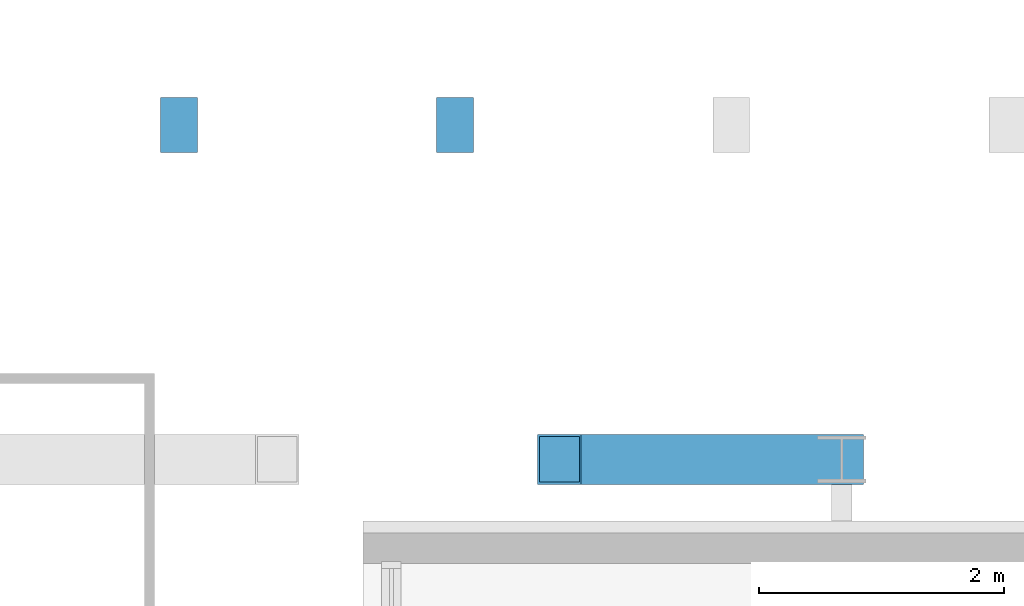
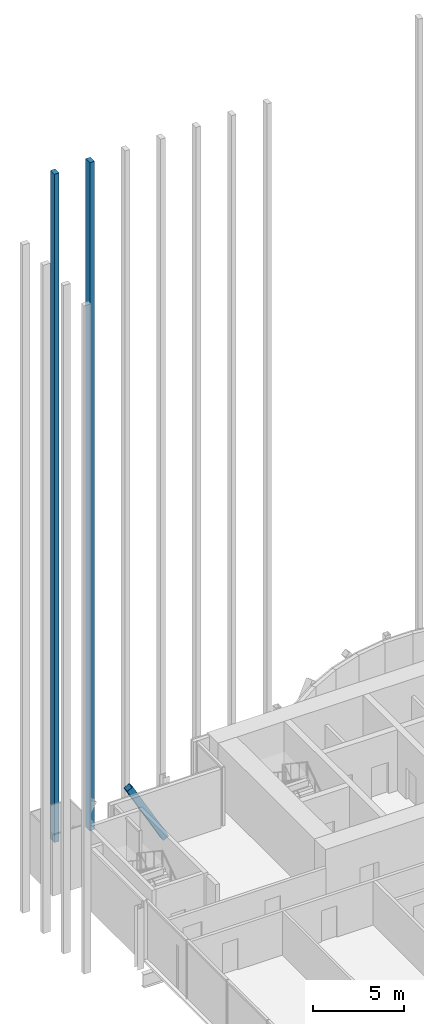
# One storey, part 15 of 33: 3 members, 1 element without a shape of its own.
"""IFC4 building model written with IfcOpenShell, lengths in metres."""

from ifc_helpers import new_model, si_unit, direction, frame, origin, origin_2d, place, context, subcontext, project, spatial, rectangle, hollow_rectangle, extrude, material, material_profile, profile_set, type_object, element, aggregate, save


model = new_model("IFC4")

# Units and contexts
model_context = context("Model", 3, precision=1e-05, world=origin(), true_north=direction((0.0, 1.0)))
body_context = subcontext(model_context, "Body", "Model", "MODEL_VIEW")
ifc_project = project(units=[si_unit("LENGTHUNIT", "METRE"), si_unit("AREAUNIT", "SQUARE_METRE"), si_unit("VOLUMEUNIT", "CUBIC_METRE"), si_unit("PLANEANGLEUNIT", "RADIAN"), si_unit("MASSUNIT", "GRAM", prefix="KILO")], contexts=[model_context])

# Site, building, storey
site_placement = place(None, origin())
site = spatial("IfcSite", under=ifc_project, at=site_placement, CompositionType="ELEMENT")
building_placement = place(site_placement, origin())
building = spatial("IfcBuilding", under=site, at=building_placement, Name="Bicima Exchange Tower", CompositionType="ELEMENT")
storey_placement = place(building_placement, frame((0.0, 0.0, 140.39990234375)))
storey = spatial("IfcBuildingStorey", under=building, at=storey_placement, Name="L30", CompositionType="ELEMENT", Elevation=140.39990234375)

# Member
ifc_material_1 = material(Name="Steel ASTM A572 Gr 50", Category="steel")
ifc_material_profile_1 = material_profile(ifc_material_1, hollow_rectangle(XDim=0.406494140625, YDim=0.406494140625, WallThickness=0.017822265625, at=origin_2d()))
ifc_profile_set_1 = profile_set([ifc_material_profile_1], Name="Steel ASTM A572 Gr 50")
member_type_1 = type_object("IfcMemberType", Name="Mega brace HSS16x16x3/4", PredefinedType="BRACE", material=ifc_profile_set_1)
member_1_placement = place(storey_placement, frame((-26.10009765625, -2.39990234375, 0.0), z_axis=(-0.489210508179, 0.0, 0.872165740377), x_axis=(0.0, -1.0, 0.0)))
element("IfcMember", 1, at=member_1_placement, inside=storey, type_object=member_type_1, Name="Mega brace rear", PredefinedType="BRACE", context=body_context, shape_type="SweptSolid", body=[
    extrude(hollow_rectangle(XDim=0.406494140625, YDim=0.406494140625, WallThickness=0.017822265625, at=origin_2d()), origin(), (0.0, 0.0, 1.0), 4.701171875),
])

# Curtain wall, members
ifc_material_2 = material(Name="Anodised bronze aluminium", Category="aluminium")
curtain_wall_type = type_object("IfcCurtainWallType", Name="Rear blade screen", PredefinedType="NOTDEFINED", material=ifc_material_2)
curtain_wall_placement = place(storey_placement, origin())
curtain_wall = element("IfcCurtainWall", 2, at=curtain_wall_placement, inside=storey, type_object=curtain_wall_type, Name="Rear blade screen L30-L40 W", PredefinedType="NOTDEFINED")
ifc_material_profile_2 = material_profile(ifc_material_2, rectangle(XDim=0.449951171875, YDim=0.300048828125, at=origin_2d()))
ifc_profile_set_2 = profile_set([ifc_material_profile_2], Name="Anodised bronze aluminium")
member_type_2 = type_object("IfcMemberType", Name="Rear blade fin 450 x 300", PredefinedType="USERDEFINED", material=ifc_profile_set_2)
member_2_placement = place(storey_placement, frame((-31.5, 0.324951171875, 0.0), z_axis=(0.0, 0.0, 1.0), x_axis=(0.0, 1.0, 0.0)))
member_2 = element("IfcMember", 3, at=member_2_placement, type_object=member_type_2, Name="Rear blade fin L30-L40 2", ObjectType="FIN", PredefinedType="USERDEFINED", context=body_context, shape_type="SweptSolid", body=[
    extrude(rectangle(XDim=0.449951171875, YDim=0.300048828125, at=origin_2d()), origin(), (0.0, 0.0, 1.0), 44.900146484375),
])
member_3_placement = place(storey_placement, frame((-29.25, 0.324951171875, 0.0), z_axis=(0.0, 0.0, 1.0), x_axis=(0.0, 1.0, 0.0)))
member_3 = element("IfcMember", 4, at=member_3_placement, type_object=member_type_2, Name="Rear blade fin L30-L40 3", ObjectType="FIN", PredefinedType="USERDEFINED", context=body_context, shape_type="SweptSolid", body=[
    extrude(rectangle(XDim=0.449951171875, YDim=0.300048828125, at=origin_2d()), origin(), (0.0, 0.0, 1.0), 44.900146484375),
])
aggregate(curtain_wall, [member_2, member_3])

save(model, "model.ifc")
